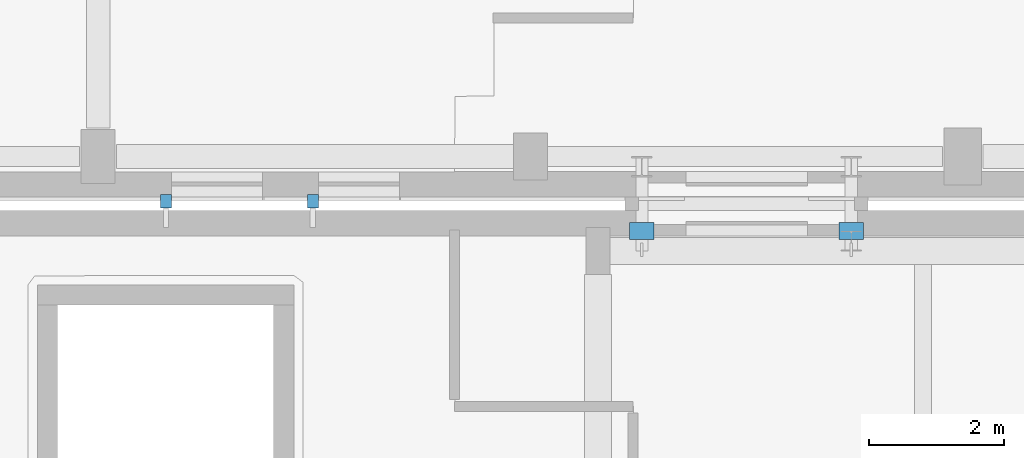
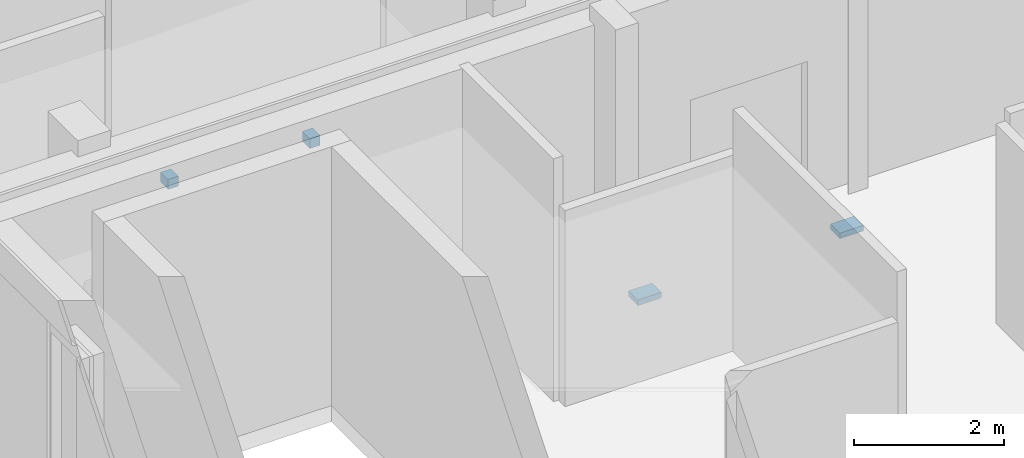
# One storey, part 58 of 84: 4 discrete accessories.
"""IFC4 building model written with IfcOpenShell, lengths in metres."""

from ifc_helpers import new_model, si_unit, direction, frame, origin, origin_2d, place, context, subcontext, project, spatial, rectangle, extrude, material, type_object, element, save


model = new_model("IFC4")

# Units and contexts
model_context = context("Model", 3, precision=1e-05, world=origin(), true_north=direction((0.0, 1.0)))
body_context = subcontext(model_context, "Body", "Model", "MODEL_VIEW")
ifc_project = project(units=[si_unit("LENGTHUNIT", "METRE"), si_unit("AREAUNIT", "SQUARE_METRE"), si_unit("VOLUMEUNIT", "CUBIC_METRE"), si_unit("PLANEANGLEUNIT", "RADIAN"), si_unit("MASSUNIT", "GRAM", prefix="KILO")], contexts=[model_context])

# Site, building, storey
site_placement = place(None, origin())
site = spatial("IfcSite", under=ifc_project, at=site_placement, CompositionType="ELEMENT")
building_placement = place(site_placement, origin())
building = spatial("IfcBuilding", under=site, at=building_placement, Name="Mzevani Central Library", CompositionType="ELEMENT")
storey_placement = place(building_placement, frame((0.0, 0.0, 5.39990234375)))
storey = spatial("IfcBuildingStorey", under=building, at=storey_placement, Name="L01", CompositionType="ELEMENT", Elevation=5.39990234375)

# Discrete accessories
ifc_material_1 = material(Name="PTFE elastomer and Steel S355J2", Category="steel")
discrete_accessory_type_1 = type_object("IfcDiscreteAccessoryType", Name="PTFE Bidirectional Seismic Sliding Bearing", PredefinedType="USERDEFINED", material=ifc_material_1)
for number, where, z_axis, x_axis, name in (
    (1, (122.25, 42.0, -0.81494140625), (0.0, 0.0, 1.0), (1.0, 0.0, 0.0), "Children-Reading Hall Seismic Passage L01 PTFE Sliding Bearing 1"),
    (2, (125.35009765625, 42.0, -0.81494140625), (0.0, 0.0, 1.0), (1.0, 0.0, 0.0), "Children-Reading Hall Seismic Passage L01 PTFE Sliding Bearing 2"),
):
    element("IfcDiscreteAccessory", number, at=place(storey_placement, frame(where, z_axis=z_axis, x_axis=x_axis)), inside=storey, type_object=discrete_accessory_type_1, Name=name, ObjectType="PTFE SLIDING BEARING", PredefinedType="USERDEFINED", context=body_context, shape_type="SweptSolid", body=[
        extrude(rectangle(XDim=0.360107421875, YDim=0.25, at=origin_2d()), origin(), (0.0, 0.0, 1.0), 0.090087890625),
    ])
ifc_material_2 = material(Name="Steel S355J2", Category="steel")
discrete_accessory_type_2 = type_object("IfcDiscreteAccessoryType", Name="Stainless Facade Support Bracket", PredefinedType="BRACKET", material=ifc_material_2)
for number, where, z_axis, x_axis, name in (
    (3, (117.3798828125, 42.43994140625, 3.1201171875), (0.0, 0.0, 1.0), (-1.0, 0.0, 0.0), "L01 V1 Fin Support Bracket (51)"),
    (4, (115.205078125, 42.43994140625, 3.22021484375), (0.0, 0.0, 1.0), (-1.0, 0.0, 0.0), "L01 V1 Fin Support Bracket (52)"),
):
    element("IfcDiscreteAccessory", number, at=place(storey_placement, frame(where, z_axis=z_axis, x_axis=x_axis)), inside=storey, type_object=discrete_accessory_type_2, Name=name, PredefinedType="BRACKET", context=body_context, shape_type="SweptSolid", body=[
        extrude(rectangle(XDim=0.159912109375, YDim=0.199951171875, at=origin_2d()), origin(), (0.0, 0.0, 1.0), 0.159912109375),
    ])

save(model, "model.ifc")
